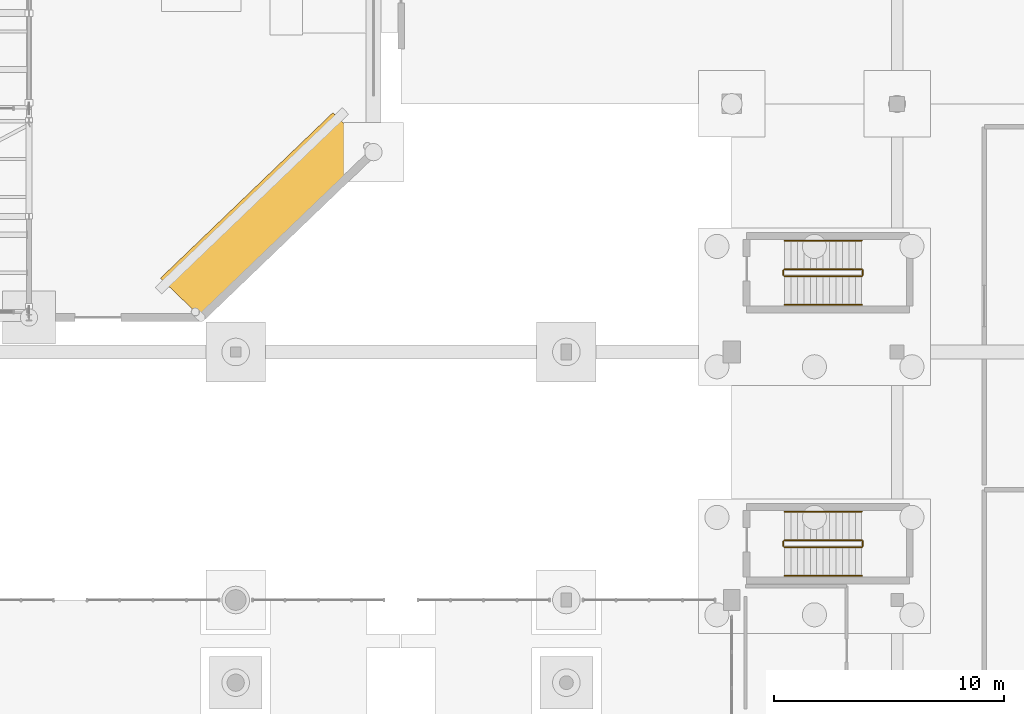
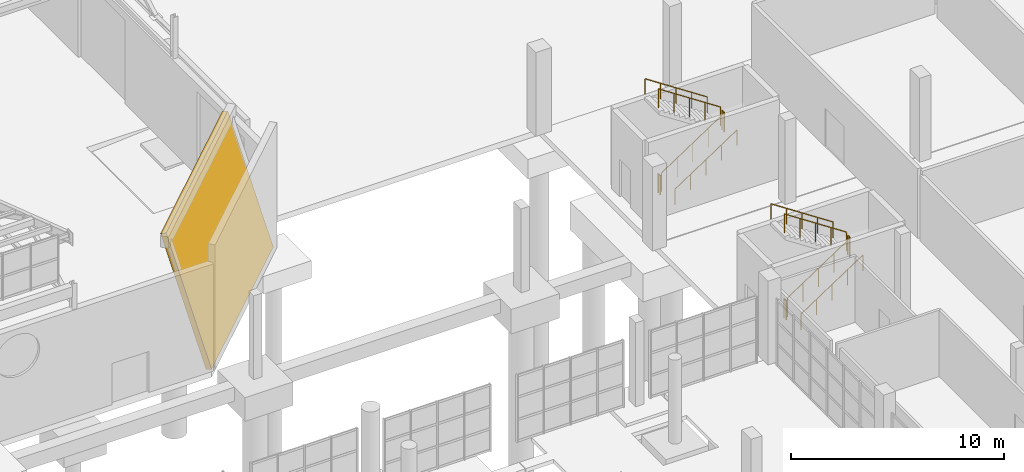
# One storey, part 280 of 285: 12 railings, 1 covering.
"""IFC4 building model written with IfcOpenShell, lengths in metres."""

from ifc_helpers import new_model, si_unit, direction, frame, origin, origin_2d, place, context, subcontext, project, spatial, polyline, circle, outline, extrude, material, layer, layer_set, type_object, element, save


model = new_model("IFC4")

# Units and contexts
model_context = context("Model", 3, precision=1e-05, world=origin(), true_north=direction((0.0, 1.0)))
body_context = subcontext(model_context, "Body", "Model", "MODEL_VIEW")
ifc_project = project(units=[si_unit("LENGTHUNIT", "METRE"), si_unit("AREAUNIT", "SQUARE_METRE"), si_unit("VOLUMEUNIT", "CUBIC_METRE"), si_unit("PLANEANGLEUNIT", "RADIAN"), si_unit("MASSUNIT", "GRAM", prefix="KILO")], contexts=[model_context])

# Site, building, storey
site_placement = place(None, origin())
site = spatial("IfcSite", under=ifc_project, at=site_placement, CompositionType="ELEMENT")
building_placement = place(site_placement, origin())
building = spatial("IfcBuilding", under=site, at=building_placement, Name="Solanera Park Tramway Depot", CompositionType="ELEMENT")
storey_placement = place(building_placement, origin())
storey = spatial("IfcBuildingStorey", under=building, at=storey_placement, Name="L00", CompositionType="ELEMENT", Elevation=0.0)

# Covering
ifc_material_1 = material(Name="Board-marked architectural concrete N40", Category="concrete")
ifc_layer_1 = layer(ifc_material_1, 0.280029296875)
ifc_layer_set_1 = layer_set([ifc_layer_1], Name="Board-marked architectural concrete N40")
covering_type = type_object("IfcCoveringType", Name="Board-Marked Carved Concrete Facet 280", PredefinedType="CLADDING", material=ifc_layer_set_1)
covering_placement = place(storey_placement, frame((142.5, 55.5, 0.0), z_axis=(0.664049872585, -0.691723308325, 0.283825001434), x_axis=(0.721389667345, 0.692529384104, 0.0)))
element("IfcCovering", 1, at=covering_placement, inside=storey, type_object=covering_type, Name="V1 Carved Sloping Corner Plane SE (16.5 deg)", PredefinedType="CLADDING", context=body_context, shape_type="SweptSolid", body=[
    extrude(outline(polyline([(0.0, 0.0), (10.39660025572707, 0.0), (10.308258091832453, 7.738144585721036), (-0.08834216389461635, 7.738144585721036), (0.0, 0.0)])), origin(), (0.0, 0.0, -1.0), 0.280029296875),
])

# Railings
ifc_material_2 = material(Name="Brushed stainless steel 316 handrail", Category="steel")
ifc_layer_2 = layer(ifc_material_2, 0.050048828125)
ifc_layer_set_2 = layer_set([ifc_layer_2], Name="Brushed stainless steel 316 handrail")
railing_type_1 = type_object("IfcRailingType", Name="Stair Pitch Tubular Handrail 920", PredefinedType="HANDRAIL", material=ifc_layer_set_2)
railing_1_placement = place(storey_placement, frame((167.89990234375, 44.25, 0.1845703125)))
element("IfcRailing", 2, at=railing_1_placement, inside=storey, type_object=railing_type_1, Name="ST-05 L00 Pitch Handrail 1", PredefinedType="HANDRAIL", context=body_context, shape_type="SweptSolid", body=[
    extrude(circle(Radius=0.02392578125, at=origin_2d()), frame((0.0, 0.0, 0.89599609375), z_axis=(0.834876476806, 0.0, 0.550437342915), x_axis=(0.0, 1.0, 0.0)), (0.0, 0.0, 1.0), 4.024658203125),
    extrude(circle(Radius=0.02099609375, at=origin_2d()), origin(), (0.0, 0.0, 1.0), 0.871826171875),
    extrude(circle(Radius=0.02099609375, at=origin_2d()), frame((0.840087890625, 0.0, 0.5537109375)), (0.0, 0.0, 1.0), 0.871826171875),
    extrude(circle(Radius=0.02099609375, at=origin_2d()), frame((1.68017578125, 0.0, 1.107666015625)), (0.0, 0.0, 1.0), 0.871826171875),
    extrude(circle(Radius=0.02099609375, at=origin_2d()), frame((2.52001953125, 0.0, 1.66162109375)), (0.0, 0.0, 1.0), 0.871826171875),
    extrude(circle(Radius=0.02099609375, at=origin_2d()), frame((3.360107421875, 0.0, 2.21533203125)), (0.0, 0.0, 1.0), 0.871826171875),
])
railing_2_placement = place(storey_placement, frame((171.260009765625, 47.050048828125, 2.584716796875)))
element("IfcRailing", 3, at=railing_2_placement, inside=storey, type_object=railing_type_1, Name="ST-05 L00 Pitch Handrail 2", PredefinedType="HANDRAIL", context=body_context, shape_type="SweptSolid", body=[
    extrude(circle(Radius=0.02392578125, at=origin_2d()), frame((0.0, 0.0, 0.89599609375), z_axis=(-0.834876476806, 0.0, 0.550437342915), x_axis=(0.0, -1.0, 0.0)), (0.0, 0.0, 1.0), 4.024658203125),
    extrude(circle(Radius=0.02099609375, at=origin_2d()), origin(), (0.0, 0.0, 1.0), 0.871826171875),
    extrude(circle(Radius=0.02099609375, at=origin_2d()), frame((-0.840087890625, 0.0, 0.5537109375)), (0.0, 0.0, 1.0), 0.871826171875),
    extrude(circle(Radius=0.02099609375, at=origin_2d()), frame((-1.68017578125, 0.0, 1.107666015625)), (0.0, 0.0, 1.0), 0.871826171875),
    extrude(circle(Radius=0.02099609375, at=origin_2d()), frame((-2.52001953125, 0.0, 1.66162109375)), (0.0, 0.0, 1.0), 0.871826171875),
    extrude(circle(Radius=0.02099609375, at=origin_2d()), frame((-3.360107421875, 0.0, 2.21533203125)), (0.0, 0.0, 1.0), 0.871826171875),
])
railing_3_placement = place(storey_placement, frame((167.89990234375, 56.050048828125, 0.1845703125)))
element("IfcRailing", 4, at=railing_3_placement, inside=storey, type_object=railing_type_1, Name="ST-06 L00 Pitch Handrail 1", PredefinedType="HANDRAIL", context=body_context, shape_type="SweptSolid", body=[
    extrude(circle(Radius=0.02392578125, at=origin_2d()), frame((0.0, 0.0, 0.89599609375), z_axis=(0.834876476806, 0.0, 0.550437342915), x_axis=(0.0, 1.0, 0.0)), (0.0, 0.0, 1.0), 4.024658203125),
    extrude(circle(Radius=0.02099609375, at=origin_2d()), origin(), (0.0, 0.0, 1.0), 0.871826171875),
    extrude(circle(Radius=0.02099609375, at=origin_2d()), frame((0.840087890625, 0.0, 0.5537109375)), (0.0, 0.0, 1.0), 0.871826171875),
    extrude(circle(Radius=0.02099609375, at=origin_2d()), frame((1.68017578125, 0.0, 1.107666015625)), (0.0, 0.0, 1.0), 0.871826171875),
    extrude(circle(Radius=0.02099609375, at=origin_2d()), frame((2.52001953125, 0.0, 1.66162109375)), (0.0, 0.0, 1.0), 0.871826171875),
    extrude(circle(Radius=0.02099609375, at=origin_2d()), frame((3.360107421875, 0.0, 2.21533203125)), (0.0, 0.0, 1.0), 0.871826171875),
])
railing_4_placement = place(storey_placement, frame((171.260009765625, 58.85009765625, 2.584716796875)))
element("IfcRailing", 5, at=railing_4_placement, inside=storey, type_object=railing_type_1, Name="ST-06 L00 Pitch Handrail 2", PredefinedType="HANDRAIL", context=body_context, shape_type="SweptSolid", body=[
    extrude(circle(Radius=0.02392578125, at=origin_2d()), frame((0.0, 0.0, 0.89599609375), z_axis=(-0.834876476806, 0.0, 0.550437342915), x_axis=(0.0, -1.0, 0.0)), (0.0, 0.0, 1.0), 4.024658203125),
    extrude(circle(Radius=0.02099609375, at=origin_2d()), origin(), (0.0, 0.0, 1.0), 0.871826171875),
    extrude(circle(Radius=0.02099609375, at=origin_2d()), frame((-0.840087890625, 0.0, 0.5537109375)), (0.0, 0.0, 1.0), 0.871826171875),
    extrude(circle(Radius=0.02099609375, at=origin_2d()), frame((-1.68017578125, 0.0, 1.107666015625)), (0.0, 0.0, 1.0), 0.871826171875),
    extrude(circle(Radius=0.02099609375, at=origin_2d()), frame((-2.52001953125, 0.0, 1.66162109375)), (0.0, 0.0, 1.0), 0.871826171875),
    extrude(circle(Radius=0.02099609375, at=origin_2d()), frame((-3.360107421875, 0.0, 2.21533203125)), (0.0, 0.0, 1.0), 0.871826171875),
])
ifc_material_3 = material(Name="Steel AS/NZS 1163 Grade C350L0", Category="steel")
ifc_layer_3 = layer(ifc_material_3, 0.06005859375)
ifc_layer_set_3 = layer_set([ifc_layer_3], Name="Steel AS/NZS 1163 Grade C350L0")
railing_type_2 = type_object("IfcRailingType", Name="Stairwell Guardrail 1100", PredefinedType="GUARDRAIL", material=ifc_layer_set_3)
railing_5_placement = place(storey_placement, frame((167.89990234375, 45.5, 0.1845703125)))
element("IfcRailing", 6, at=railing_5_placement, inside=storey, type_object=railing_type_2, Name="ST-05 L00 Well Guard 1", PredefinedType="GUARDRAIL", context=body_context, shape_type="SweptSolid", body=[
    extrude(circle(Radius=0.02392578125, at=origin_2d()), frame((0.0, 0.0, 1.076171875), z_axis=(0.834876476806, 0.0, 0.550437342915), x_axis=(0.0, 1.0, 0.0)), (0.0, 0.0, 1.0), 4.024658203125),
    extrude(circle(Radius=0.02099609375, at=origin_2d()), origin(), (0.0, 0.0, 1.0), 1.052001953125),
    extrude(circle(Radius=0.02099609375, at=origin_2d()), frame((0.840087890625, 0.0, 0.5537109375)), (0.0, 0.0, 1.0), 1.052001953125),
    extrude(circle(Radius=0.02099609375, at=origin_2d()), frame((1.68017578125, 0.0, 1.107666015625)), (0.0, 0.0, 1.0), 1.052001953125),
    extrude(circle(Radius=0.02099609375, at=origin_2d()), frame((2.52001953125, 0.0, 1.66162109375)), (0.0, 0.0, 1.0), 1.052001953125),
    extrude(circle(Radius=0.02099609375, at=origin_2d()), frame((3.360107421875, 0.0, 2.21533203125)), (0.0, 0.0, 1.0), 1.052001953125),
])
railing_6_placement = place(storey_placement, frame((171.31005859375, 45.550048828125, 2.39990234375)))
element("IfcRailing", 7, at=railing_6_placement, inside=storey, type_object=railing_type_2, Name="ST-05 L00 Well Guard 2", PredefinedType="GUARDRAIL", context=body_context, shape_type="SweptSolid", body=[
    extrude(circle(Radius=0.02392578125, at=origin_2d()), frame((0.0, 0.0, 1.076171875), z_axis=(0.0, 1.0, 0.0), x_axis=(-1.0, 0.0, 0.0)), (0.0, 0.0, 1.0), 0.199951171875),
    extrude(circle(Radius=0.02099609375, at=origin_2d()), origin(), (0.0, 0.0, 1.0), 1.052001953125),
    extrude(circle(Radius=0.02099609375, at=origin_2d()), frame((0.0, 0.199951171875, 0.0)), (0.0, 0.0, 1.0), 1.052001953125),
])
railing_7_placement = place(storey_placement, frame((171.260009765625, 45.800048828125, 2.584716796875)))
element("IfcRailing", 8, at=railing_7_placement, inside=storey, type_object=railing_type_2, Name="ST-05 L00 Well Guard 3", PredefinedType="GUARDRAIL", context=body_context, shape_type="SweptSolid", body=[
    extrude(circle(Radius=0.02392578125, at=origin_2d()), frame((0.0, 0.0, 1.076171875), z_axis=(-0.834876476806, 0.0, 0.550437342915), x_axis=(0.0, -1.0, 0.0)), (0.0, 0.0, 1.0), 4.024658203125),
    extrude(circle(Radius=0.02099609375, at=origin_2d()), origin(), (0.0, 0.0, 1.0), 1.052001953125),
    extrude(circle(Radius=0.02099609375, at=origin_2d()), frame((-0.840087890625, 0.0, 0.5537109375)), (0.0, 0.0, 1.0), 1.052001953125),
    extrude(circle(Radius=0.02099609375, at=origin_2d()), frame((-1.68017578125, 0.0, 1.107666015625)), (0.0, 0.0, 1.0), 1.052001953125),
    extrude(circle(Radius=0.02099609375, at=origin_2d()), frame((-2.52001953125, 0.0, 1.66162109375)), (0.0, 0.0, 1.0), 1.052001953125),
    extrude(circle(Radius=0.02099609375, at=origin_2d()), frame((-3.360107421875, 0.0, 2.21533203125)), (0.0, 0.0, 1.0), 1.052001953125),
])
railing_8_placement = place(storey_placement, frame((167.85009765625, 45.550048828125, 0.0)))
element("IfcRailing", 9, at=railing_8_placement, inside=storey, type_object=railing_type_2, Name="ST-05 L00 Well Guard 4", PredefinedType="GUARDRAIL", context=body_context, shape_type="SweptSolid", body=[
    extrude(circle(Radius=0.02392578125, at=origin_2d()), frame((0.0, 0.0, 1.076171875), z_axis=(0.0, 1.0, 0.0), x_axis=(-1.0, 0.0, 0.0)), (0.0, 0.0, 1.0), 0.199951171875),
    extrude(circle(Radius=0.02099609375, at=origin_2d()), origin(), (0.0, 0.0, 1.0), 1.052001953125),
    extrude(circle(Radius=0.02099609375, at=origin_2d()), frame((0.0, 0.199951171875, 0.0)), (0.0, 0.0, 1.0), 1.052001953125),
])
railing_9_placement = place(storey_placement, frame((167.89990234375, 57.300048828125, 0.1845703125)))
element("IfcRailing", 10, at=railing_9_placement, inside=storey, type_object=railing_type_2, Name="ST-06 L00 Well Guard 1", PredefinedType="GUARDRAIL", context=body_context, shape_type="SweptSolid", body=[
    extrude(circle(Radius=0.02392578125, at=origin_2d()), frame((0.0, 0.0, 1.076171875), z_axis=(0.834876476806, 0.0, 0.550437342915), x_axis=(0.0, 1.0, 0.0)), (0.0, 0.0, 1.0), 4.024658203125),
    extrude(circle(Radius=0.02099609375, at=origin_2d()), origin(), (0.0, 0.0, 1.0), 1.052001953125),
    extrude(circle(Radius=0.02099609375, at=origin_2d()), frame((0.840087890625, 0.0, 0.5537109375)), (0.0, 0.0, 1.0), 1.052001953125),
    extrude(circle(Radius=0.02099609375, at=origin_2d()), frame((1.68017578125, 0.0, 1.107666015625)), (0.0, 0.0, 1.0), 1.052001953125),
    extrude(circle(Radius=0.02099609375, at=origin_2d()), frame((2.52001953125, 0.0, 1.66162109375)), (0.0, 0.0, 1.0), 1.052001953125),
    extrude(circle(Radius=0.02099609375, at=origin_2d()), frame((3.360107421875, 0.0, 2.21533203125)), (0.0, 0.0, 1.0), 1.052001953125),
])
railing_10_placement = place(storey_placement, frame((171.31005859375, 57.35009765625, 2.39990234375)))
element("IfcRailing", 11, at=railing_10_placement, inside=storey, type_object=railing_type_2, Name="ST-06 L00 Well Guard 2", PredefinedType="GUARDRAIL", context=body_context, shape_type="SweptSolid", body=[
    extrude(circle(Radius=0.02392578125, at=origin_2d()), frame((0.0, 0.0, 1.076171875), z_axis=(0.0, 1.0, 0.0), x_axis=(-1.0, 0.0, 0.0)), (0.0, 0.0, 1.0), 0.199951171875),
    extrude(circle(Radius=0.02099609375, at=origin_2d()), origin(), (0.0, 0.0, 1.0), 1.052001953125),
    extrude(circle(Radius=0.02099609375, at=origin_2d()), frame((0.0, 0.199951171875, 0.0)), (0.0, 0.0, 1.0), 1.052001953125),
])
railing_11_placement = place(storey_placement, frame((171.260009765625, 57.60009765625, 2.584716796875)))
element("IfcRailing", 12, at=railing_11_placement, inside=storey, type_object=railing_type_2, Name="ST-06 L00 Well Guard 3", PredefinedType="GUARDRAIL", context=body_context, shape_type="SweptSolid", body=[
    extrude(circle(Radius=0.02392578125, at=origin_2d()), frame((0.0, 0.0, 1.076171875), z_axis=(-0.834876476806, 0.0, 0.550437342915), x_axis=(0.0, -1.0, 0.0)), (0.0, 0.0, 1.0), 4.024658203125),
    extrude(circle(Radius=0.02099609375, at=origin_2d()), origin(), (0.0, 0.0, 1.0), 1.052001953125),
    extrude(circle(Radius=0.02099609375, at=origin_2d()), frame((-0.840087890625, 0.0, 0.5537109375)), (0.0, 0.0, 1.0), 1.052001953125),
    extrude(circle(Radius=0.02099609375, at=origin_2d()), frame((-1.68017578125, 0.0, 1.107666015625)), (0.0, 0.0, 1.0), 1.052001953125),
    extrude(circle(Radius=0.02099609375, at=origin_2d()), frame((-2.52001953125, 0.0, 1.66162109375)), (0.0, 0.0, 1.0), 1.052001953125),
    extrude(circle(Radius=0.02099609375, at=origin_2d()), frame((-3.360107421875, 0.0, 2.21533203125)), (0.0, 0.0, 1.0), 1.052001953125),
])
railing_12_placement = place(storey_placement, frame((167.85009765625, 57.35009765625, 0.0)))
element("IfcRailing", 13, at=railing_12_placement, inside=storey, type_object=railing_type_2, Name="ST-06 L00 Well Guard 4", PredefinedType="GUARDRAIL", context=body_context, shape_type="SweptSolid", body=[
    extrude(circle(Radius=0.02392578125, at=origin_2d()), frame((0.0, 0.0, 1.076171875), z_axis=(0.0, 1.0, 0.0), x_axis=(-1.0, 0.0, 0.0)), (0.0, 0.0, 1.0), 0.199951171875),
    extrude(circle(Radius=0.02099609375, at=origin_2d()), origin(), (0.0, 0.0, 1.0), 1.052001953125),
    extrude(circle(Radius=0.02099609375, at=origin_2d()), frame((0.0, 0.199951171875, 0.0)), (0.0, 0.0, 1.0), 1.052001953125),
])

save(model, "model.ifc")
